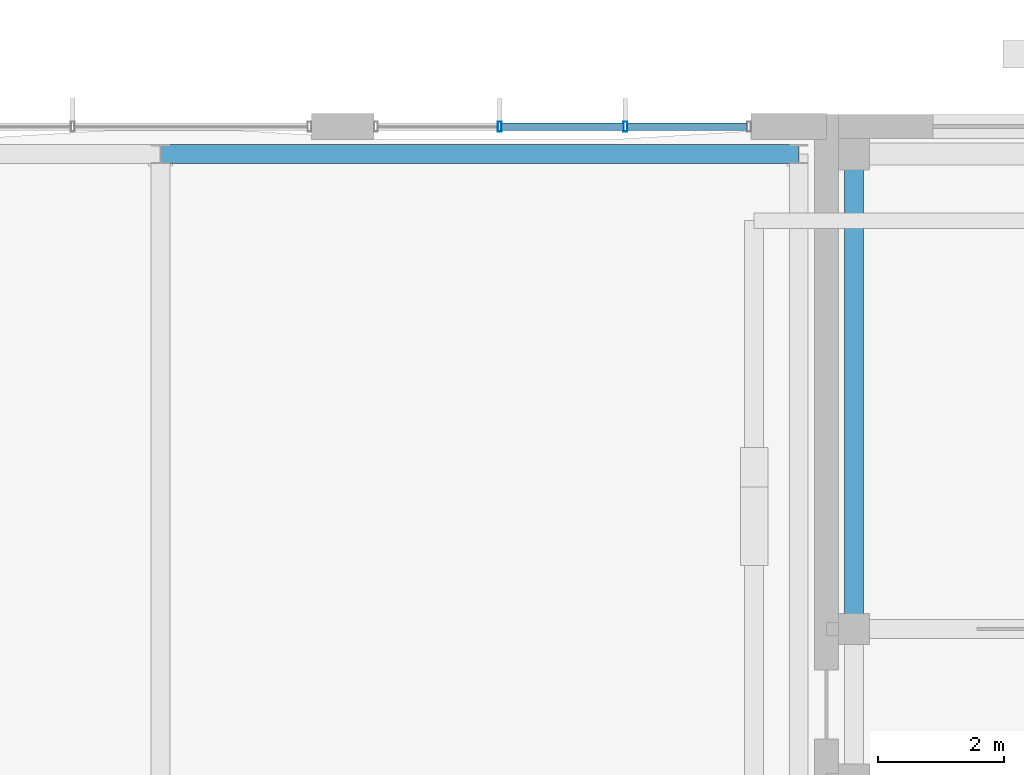
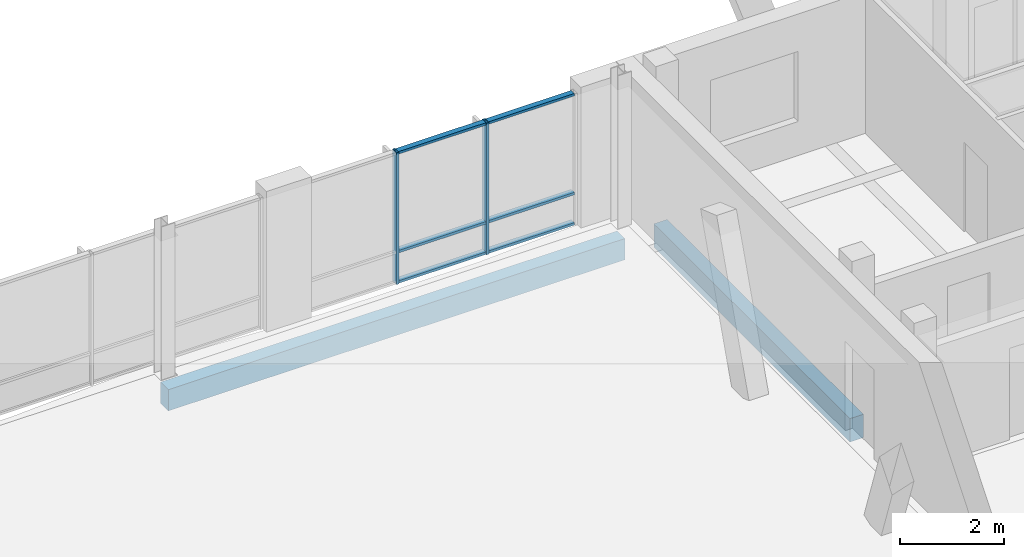
# One storey, part 105 of 189: 8 members, 2 beams, 1 element without a shape of its own.
"""IFC4 building model written with IfcOpenShell, lengths in metres."""

import ifcopenshell
import ifcopenshell.guid

model = None  # the IFC model being written
_history = None  # IfcOwnerHistory: only IFC2X3 demands one
_inside = {}  # id of a spatial element -> (the spatial element, [elements in it])
_under = {}  # id of a project, library or spatial element -> (it, [spatial elements below it])
_declared = {}  # id of a project -> (the project, [libraries it declares])
_typed = {}  # id of a type object -> (the type object, [elements of that type])
_made_of = {}  # id of a material, layer set ... -> (it, [elements and type objects made of it])


def new_model(schema):
    """Start an empty IFC model of exactly this schema.

    Asked for "IFC4X3", IfcOpenShell would pick the latest addendum, in which some entities
    have other attributes; the version numbers below select the first issue.
    IFC2X3 requires an IfcOwnerHistory on every rooted entity: one is made here for all.
    """
    global model, _history
    if schema == "IFC4X3":
        model = ifcopenshell.file(schema_version=(4, 3, 0, 0))
    else:
        model = ifcopenshell.file(schema=schema)
    _inside.clear()
    _under.clear()
    _declared.clear()
    _typed.clear()
    _made_of.clear()
    _history = None
    if model.schema == "IFC2X3":
        org = make("IfcOrganization", Name="unknown")
        user = make(
            "IfcPersonAndOrganization",
            ThePerson=make("IfcPerson", FamilyName="unknown"),
            TheOrganization=org,
        )
        app = make(
            "IfcApplication",
            ApplicationDeveloper=org,
            Version="unknown",
            ApplicationFullName="unknown",
            ApplicationIdentifier="unknown",
        )
        _history = make(
            "IfcOwnerHistory",
            OwningUser=user,
            OwningApplication=app,
            ChangeAction="ADDED",
            CreationDate=0,
        )
    return model


def make(cls, **values):
    """One entity of the class cls with the attributes given. An attribute that is None is left unset."""
    return model.create_entity(
        cls, **{name: value for name, value in values.items() if value is not None}
    )


def rooted(cls, **values):
    """An entity with a GlobalId (a new one), such as an element, a storey or a relation."""
    return make(cls, GlobalId=ifcopenshell.guid.new(), OwnerHistory=_history, **values)


def si_unit(unit_type, name, prefix=None):
    """IfcSIUnit, for example si_unit("LENGTHUNIT", "METRE", prefix="MILLI")."""
    return make("IfcSIUnit", UnitType=unit_type, Prefix=prefix, Name=name)


def assignment(units):
    """IfcUnitAssignment: the units of a project."""
    return None if units is None else make("IfcUnitAssignment", Units=units)


def point(xyz):
    """IfcCartesianPoint."""
    return None if xyz is None else make("IfcCartesianPoint", Coordinates=xyz)


def direction(xyz):
    """IfcDirection."""
    return None if xyz is None else make("IfcDirection", DirectionRatios=xyz)


def frame(location, z_axis=None, x_axis=None):
    """IfcAxis2Placement3D, a coordinate frame: its origin and axes. An axis left out is left unset."""
    return make(
        "IfcAxis2Placement3D",
        Location=point(location),
        Axis=direction(z_axis),
        RefDirection=direction(x_axis),
    )


def frame_2d(location, x_axis=None):
    """IfcAxis2Placement2D, a coordinate frame in the plane: its origin and x axis."""
    return make(
        "IfcAxis2Placement2D", Location=point(location), RefDirection=direction(x_axis)
    )


def origin():
    """The frame at (0, 0, 0) with its axes left unset."""
    return frame((0.0, 0.0, 0.0))


def origin_2d():
    """The frame at (0, 0) in the plane with its x axis left unset."""
    return frame_2d((0.0, 0.0))


def place(relative_to, where):
    """IfcLocalPlacement: puts the frame where relative to a parent placement (None: the world)."""
    return make(
        "IfcLocalPlacement", PlacementRelTo=relative_to, RelativePlacement=where
    )


def context(
    kind, dimensions, precision=None, world=None, true_north=None, identifier=None
):
    """IfcGeometricRepresentationContext, for example the 3D "Model" context."""
    return make(
        "IfcGeometricRepresentationContext",
        ContextIdentifier=identifier,
        ContextType=kind,
        CoordinateSpaceDimension=dimensions,
        Precision=precision,
        WorldCoordinateSystem=world,
        TrueNorth=true_north,
    )


def subcontext(parent, identifier, kind, view, scale=None):
    """IfcGeometricRepresentationSubContext, for example "Body" below "Model"."""
    return make(
        "IfcGeometricRepresentationSubContext",
        ContextIdentifier=identifier,
        ContextType=kind,
        ParentContext=parent,
        TargetScale=scale,
        TargetView=view,
    )


def project(units=None, contexts=None):
    """IfcProject with its units and contexts."""
    return rooted(
        "IfcProject",
        Name="project",
        RepresentationContexts=contexts,
        UnitsInContext=assignment(units),
    )


def spatial(cls, under=None, at=None, **own):
    """A site, building, storey or space (cls), placed at a placement, below another one or the project."""
    s = rooted(cls, ObjectPlacement=at, **own)
    if under is not None:
        _under.setdefault(under.id(), (under, []))[1].append(s)
    return s


def profile(cls, at=None, kind="AREA", **sizes):
    """A parametric profile (cls). Its sizes go by their IFC names, for example OverallWidth=200.0."""
    return make(cls, ProfileType=kind, Position=at, **sizes)


def rectangle(**sizes):
    """IfcRectangleProfileDef."""
    return profile("IfcRectangleProfileDef", **sizes)


def hollow_rectangle(**sizes):
    """IfcRectangleHollowProfileDef."""
    return profile("IfcRectangleHollowProfileDef", **sizes)


def extrude(swept, where, along, depth):
    """IfcExtrudedAreaSolid: the profile swept, set in the frame where, extruded along a direction by depth."""
    return make(
        "IfcExtrudedAreaSolid",
        SweptArea=swept,
        Position=where,
        ExtrudedDirection=direction(along),
        Depth=depth,
    )


def shape(context_of_items, identifier, shape_type, items):
    """IfcShapeRepresentation: the items that make up one representation, for example the "Body"."""
    return make(
        "IfcShapeRepresentation",
        ContextOfItems=context_of_items,
        RepresentationIdentifier=identifier,
        RepresentationType=shape_type,
        Items=items,
    )


def material(Name=None, Category=None):
    """IfcMaterial."""
    return make("IfcMaterial", Name=Name, Category=Category)


def material_profile(
    of_material, cross_section, Name=None, Category=None, Priority=None
):
    """IfcMaterialProfile: a cross section and its material."""
    return make(
        "IfcMaterialProfile",
        Name=Name,
        Material=of_material,
        Profile=cross_section,
        Priority=Priority,
        Category=Category,
    )


def profile_set(profiles, Name=None, composite=None):
    """IfcMaterialProfileSet."""
    return make(
        "IfcMaterialProfileSet",
        Name=Name,
        MaterialProfiles=profiles,
        CompositeProfile=composite,
    )


def made_of(thing, what):
    """Note that an element or type object is made of a material, layer set ...; save() writes the relation."""
    if what is not None:
        _made_of.setdefault(what.id(), (what, []))[1].append(thing)
    return thing


def type_object(cls, material=None, **own):
    """A type object (cls), such as IfcWallType, which elements share."""
    return made_of(rooted(cls, **own), material)


def element(
    cls,
    number,
    at=None,
    inside=None,
    cuts=None,
    type_object=None,
    material=None,
    context=None,
    identifier="Body",
    shape_type=None,
    held_by="IfcProductDefinitionShape",
    body=None,
    shapes=None,
    **own,
):
    """One element of the class cls, such as IfcWall. Its Tag is "e" and its number.

    at: its placement. inside: the storey or other place that contains it. cuts: it is an
    opening in that element (IfcRelVoidsElement). A single representation is given by context,
    identifier, shape_type and body (its items); several are given by shapes. held_by: the class
    of the entity that holds the representations. save() writes the other relations.
    """
    e = rooted(cls, Tag="e%d" % number, ObjectPlacement=at, **own)
    if body is not None:
        shapes = [shape(context, identifier, shape_type, body)]
    if shapes is not None:
        e.Representation = make(held_by, Representations=shapes)
    if inside is not None:
        _inside.setdefault(inside.id(), (inside, []))[1].append(e)
    if cuts is not None:
        rooted(
            "IfcRelVoidsElement", RelatingBuildingElement=cuts, RelatedOpeningElement=e
        )
    if type_object is not None:
        _typed.setdefault(type_object.id(), (type_object, []))[1].append(e)
    return made_of(e, material)


def aggregate(whole, parts):
    """IfcRelAggregates: a whole, such as a stair, and the parts it consists of."""
    return rooted("IfcRelAggregates", RelatingObject=whole, RelatedObjects=parts)


def save(model, path):
    """Write the relations noted so far, then the file.

    IfcRelAggregates (storeys below a building ...), IfcRelContainedInSpatialStructure (elements
    in a storey), IfcRelDefinesByType, IfcRelAssociatesMaterial and IfcRelDeclares: one each for
    every whole, place, type object, material and project.
    """
    for whole, parts in _under.values():
        aggregate(whole, parts)
    for where, things in _inside.values():
        rooted(
            "IfcRelContainedInSpatialStructure",
            RelatedElements=things,
            RelatingStructure=where,
        )
    for kind, things in _typed.values():
        rooted("IfcRelDefinesByType", RelatedObjects=things, RelatingType=kind)
    for what, things in _made_of.values():
        rooted("IfcRelAssociatesMaterial", RelatedObjects=things, RelatingMaterial=what)
    for by, libraries in _declared.values():
        rooted("IfcRelDeclares", RelatingContext=by, RelatedDefinitions=libraries)
    model.write(path)


model = new_model("IFC4")

# Units and contexts
model_context = context("Model", 3, precision=1e-05, world=origin(), true_north=direction((0.0, 1.0)))
body_context = subcontext(model_context, "Body", "Model", "MODEL_VIEW")
ifc_project = project(units=[si_unit("LENGTHUNIT", "METRE"), si_unit("AREAUNIT", "SQUARE_METRE"), si_unit("VOLUMEUNIT", "CUBIC_METRE"), si_unit("PLANEANGLEUNIT", "RADIAN"), si_unit("MASSUNIT", "GRAM", prefix="KILO")], contexts=[model_context])

# Site, building, storey
site_placement = place(None, origin())
site = spatial("IfcSite", under=ifc_project, at=site_placement, CompositionType="ELEMENT")
building_placement = place(site_placement, origin())
building = spatial("IfcBuilding", under=site, at=building_placement, Name="Zavelmont Quarter", CompositionType="ELEMENT")
storey_placement = place(building_placement, frame((0.0, 0.0, 4.39990234375)))
storey = spatial("IfcBuildingStorey", under=building, at=storey_placement, Name="L01", CompositionType="ELEMENT", Elevation=4.39990234375)

# Beams
ifc_material_1 = material(Name="Concrete C35/45", Category="concrete")
ifc_material_profile_1 = material_profile(ifc_material_1, rectangle(XDim=0.300048828125, YDim=0.550048828125, at=origin_2d()), Name="RC300X550")
ifc_profile_set_1 = profile_set([ifc_material_profile_1], Name="Concrete C35/45")
beam_type_1 = type_object("IfcBeamType", Name="BM02", PredefinedType="SPANDREL", material=ifc_profile_set_1)
beam_1_placement = place(storey_placement, frame((113.239990234375, 108.0, -0.554931640625), z_axis=(0.0, 1.0, 0.0), x_axis=(-1.0, 0.0, 0.0)))
element("IfcBeam", 1, at=beam_1_placement, inside=storey, type_object=beam_type_1, Name="L01 beam BM02 17/R to 17/S", PredefinedType="SPANDREL", context=body_context, shape_type="SweptSolid", body=[
    extrude(rectangle(XDim=0.300048828125, YDim=0.550048828125, at=origin_2d()), origin(), (0.0, 0.0, 1.0), 7.56005859375),
])
ifc_material_profile_2 = material_profile(ifc_material_1, rectangle(XDim=0.300048828125, YDim=0.5, at=origin_2d()), Name="RC300X500")
ifc_profile_set_2 = profile_set([ifc_material_profile_2], Name="Concrete C35/45")
beam_type_2 = type_object("IfcBeamType", Name="BM03", PredefinedType="BEAM", material=ifc_profile_set_2)
beam_2_placement = place(storey_placement, frame((102.199951171875, 115.56005859375, -0.52978515625), z_axis=(1.0, 0.0, 0.0), x_axis=(0.0, 1.0, 0.0)))
element("IfcBeam", 2, at=beam_2_placement, inside=storey, type_object=beam_type_2, Name="L01 beam BM03 16/S to 17/S", PredefinedType="BEAM", context=body_context, shape_type="SweptSolid", body=[
    extrude(rectangle(XDim=0.300048828125, YDim=0.5, at=origin_2d()), origin(), (0.0, 0.0, 1.0), 10.16015625),
])

# Curtain wall, members
ifc_material_2 = material(Name="Thermally broken aluminium and double low-E safety glazing", Category="aluminium")
curtain_wall_type = type_object("IfcCurtainWallType", Name="CW-600X310", PredefinedType="NOTDEFINED", material=ifc_material_2)
curtain_wall_placement = place(storey_placement, origin())
curtain_wall = element("IfcCurtainWall", 3, at=curtain_wall_placement, inside=storey, type_object=curtain_wall_type, Name="L01 unitised curtain wall CW-600X310", PredefinedType="NOTDEFINED")
ifc_material_3 = material(Name="Powder-coated aluminium EN AW-6063-T6", Category="aluminium")
ifc_material_profile_3 = material_profile(ifc_material_3, hollow_rectangle(XDim=0.06005859375, YDim=0.159912109375, WallThickness=0.00390625, at=origin_2d()), Name="CWM60X160")
ifc_profile_set_3 = profile_set([ifc_material_profile_3], Name="Powder-coated aluminium EN AW-6063-T6")
member_type_1 = type_object("IfcMemberType", Name="CWM01", PredefinedType="MULLION", material=ifc_profile_set_3)
member_1_placement = place(storey_placement, frame((107.60009765625, 116.0, 0.0), z_axis=(0.0, 0.0, 1.0), x_axis=(1.0, 0.0, 0.0)))
member_1 = element("IfcMember", 4, at=member_1_placement, type_object=member_type_1, Name="CW-600X310 mullion 2", PredefinedType="MULLION", context=body_context, shape_type="SweptSolid", body=[
    extrude(hollow_rectangle(XDim=0.06005859375, YDim=0.159912109375, WallThickness=0.00390625, at=origin_2d()), origin(), (0.0, 0.0, 1.0), 3.10009765625),
])
member_2_placement = place(storey_placement, frame((109.60009765625, 116.0, 0.0), z_axis=(0.0, 0.0, 1.0), x_axis=(1.0, 0.0, 0.0)))
member_2 = element("IfcMember", 5, at=member_2_placement, type_object=member_type_1, Name="CW-600X310 mullion 3", PredefinedType="MULLION", context=body_context, shape_type="SweptSolid", body=[
    extrude(hollow_rectangle(XDim=0.06005859375, YDim=0.159912109375, WallThickness=0.00390625, at=origin_2d()), origin(), (0.0, 0.0, 1.0), 3.10009765625),
])
ifc_material_profile_4 = material_profile(ifc_material_3, hollow_rectangle(XDim=0.1201171875, YDim=0.06005859375, WallThickness=0.00390625, at=origin_2d()), Name="CWT60X120")
ifc_profile_set_4 = profile_set([ifc_material_profile_4], Name="Powder-coated aluminium EN AW-6063-T6")
member_type_2 = type_object("IfcMemberType", Name="CWT01", PredefinedType="NOTDEFINED", material=ifc_profile_set_4)
member_3_placement = place(storey_placement, frame((107.6298828125, 116.0, 0.030029296875), z_axis=(1.0, 0.0, 0.0), x_axis=(0.0, 1.0, 0.0)))
member_3 = element("IfcMember", 6, at=member_3_placement, type_object=member_type_2, Name="CW-600X310 transom 2.1", ObjectType="TRANSOM", PredefinedType="USERDEFINED", context=body_context, shape_type="SweptSolid", body=[
    extrude(hollow_rectangle(XDim=0.1201171875, YDim=0.06005859375, WallThickness=0.00390625, at=origin_2d()), origin(), (0.0, 0.0, 1.0), 1.940185546875),
])
member_4_placement = place(storey_placement, frame((107.6298828125, 116.0, 0.744140625), z_axis=(1.0, 0.0, 0.0), x_axis=(0.0, 1.0, 0.0)))
member_4 = element("IfcMember", 7, at=member_4_placement, type_object=member_type_2, Name="CW-600X310 transom 2.2", ObjectType="TRANSOM", PredefinedType="USERDEFINED", context=body_context, shape_type="SweptSolid", body=[
    extrude(hollow_rectangle(XDim=0.1201171875, YDim=0.06005859375, WallThickness=0.00390625, at=origin_2d()), origin(), (0.0, 0.0, 1.0), 1.940185546875),
])
member_5_placement = place(storey_placement, frame((107.6298828125, 116.0, 3.070068359375), z_axis=(1.0, 0.0, 0.0), x_axis=(0.0, 1.0, 0.0)))
member_5 = element("IfcMember", 8, at=member_5_placement, type_object=member_type_2, Name="CW-600X310 transom 2.3", ObjectType="TRANSOM", PredefinedType="USERDEFINED", context=body_context, shape_type="SweptSolid", body=[
    extrude(hollow_rectangle(XDim=0.1201171875, YDim=0.06005859375, WallThickness=0.00390625, at=origin_2d()), origin(), (0.0, 0.0, 1.0), 1.940185546875),
])
member_6_placement = place(storey_placement, frame((109.6298828125, 116.0, 0.030029296875), z_axis=(1.0, 0.0, 0.0), x_axis=(0.0, 1.0, 0.0)))
member_6 = element("IfcMember", 9, at=member_6_placement, type_object=member_type_2, Name="CW-600X310 transom 3.1", ObjectType="TRANSOM", PredefinedType="USERDEFINED", context=body_context, shape_type="SweptSolid", body=[
    extrude(hollow_rectangle(XDim=0.1201171875, YDim=0.06005859375, WallThickness=0.00390625, at=origin_2d()), origin(), (0.0, 0.0, 1.0), 1.91015625),
])
member_7_placement = place(storey_placement, frame((109.6298828125, 116.0, 0.744140625), z_axis=(1.0, 0.0, 0.0), x_axis=(0.0, 1.0, 0.0)))
member_7 = element("IfcMember", 10, at=member_7_placement, type_object=member_type_2, Name="CW-600X310 transom 3.2", ObjectType="TRANSOM", PredefinedType="USERDEFINED", context=body_context, shape_type="SweptSolid", body=[
    extrude(hollow_rectangle(XDim=0.1201171875, YDim=0.06005859375, WallThickness=0.00390625, at=origin_2d()), origin(), (0.0, 0.0, 1.0), 1.91015625),
])
member_8_placement = place(storey_placement, frame((109.6298828125, 116.0, 3.070068359375), z_axis=(1.0, 0.0, 0.0), x_axis=(0.0, 1.0, 0.0)))
member_8 = element("IfcMember", 11, at=member_8_placement, type_object=member_type_2, Name="CW-600X310 transom 3.3", ObjectType="TRANSOM", PredefinedType="USERDEFINED", context=body_context, shape_type="SweptSolid", body=[
    extrude(hollow_rectangle(XDim=0.1201171875, YDim=0.06005859375, WallThickness=0.00390625, at=origin_2d()), origin(), (0.0, 0.0, 1.0), 1.91015625),
])
aggregate(curtain_wall, [member_1, member_2, member_3, member_4, member_5, member_6, member_7, member_8])

save(model, "model.ifc")
